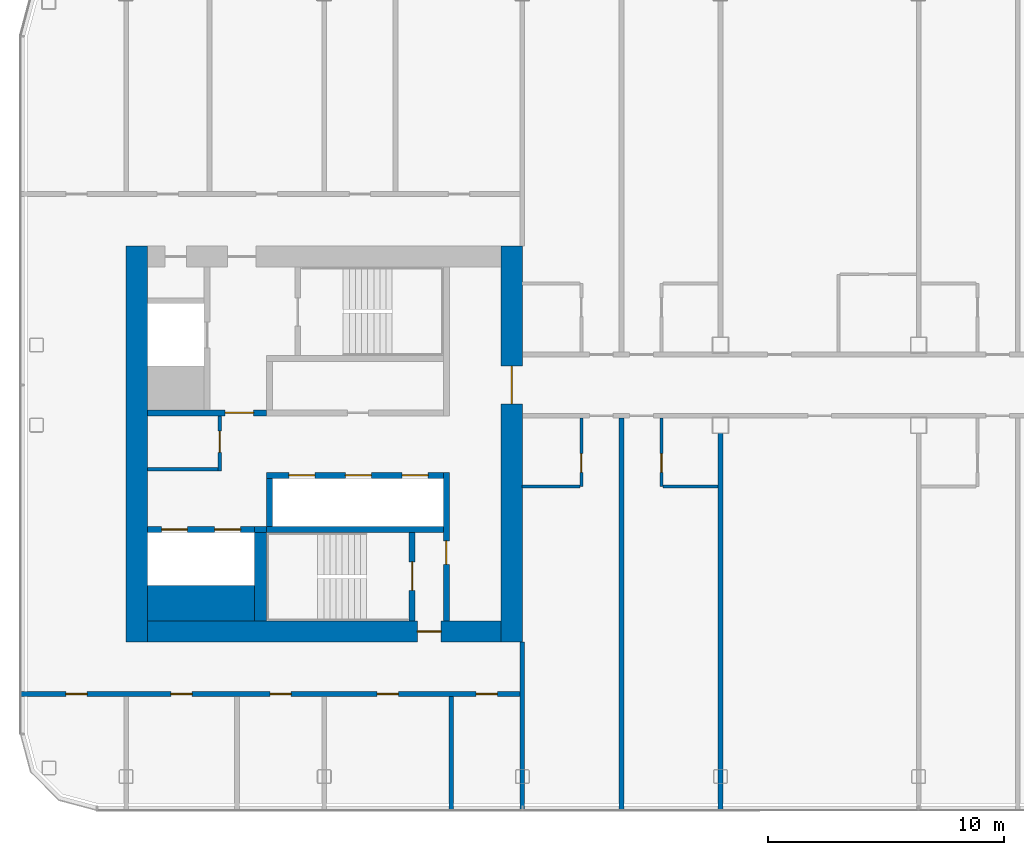
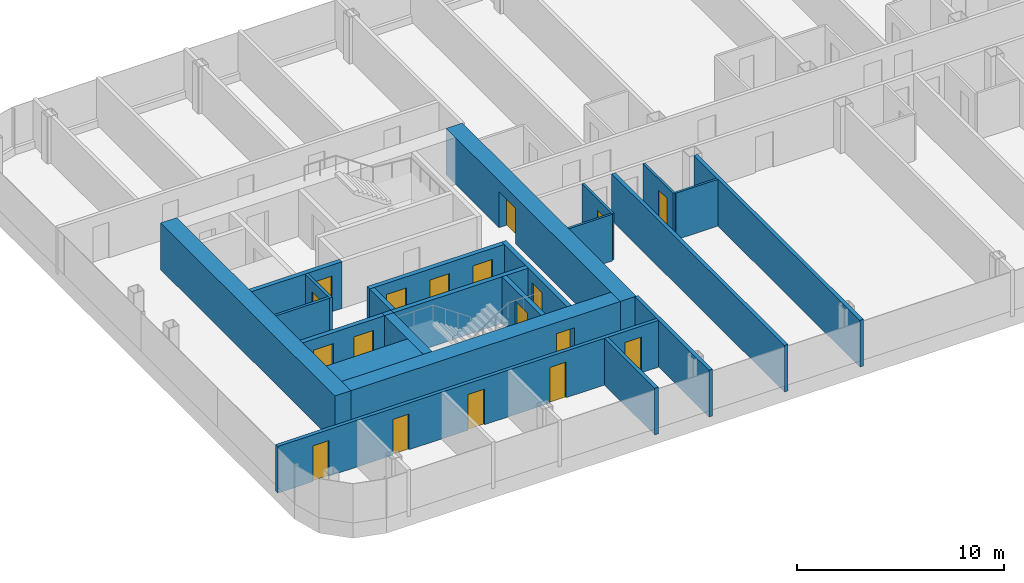
# One storey, part 13 of 26: 24 walls, 18 doors, 18 openings.
"""IFC4 building model written with IfcOpenShell, lengths in metres."""

from ifc_helpers import new_model, si_unit, direction, frame, frame_2d, origin, place, context, subcontext, project, spatial, rectangle, extrude, material, layer, layer_set, type_object, element, fill, save


model = new_model("IFC4")

# Units and contexts
model_context = context("Model", 3, precision=1e-05, world=origin(), true_north=direction((0.0, 1.0)))
body_context = subcontext(model_context, "Body", "Model", "MODEL_VIEW")
ifc_project = project(units=[si_unit("LENGTHUNIT", "METRE"), si_unit("AREAUNIT", "SQUARE_METRE"), si_unit("VOLUMEUNIT", "CUBIC_METRE"), si_unit("PLANEANGLEUNIT", "RADIAN"), si_unit("MASSUNIT", "GRAM", prefix="KILO")], contexts=[model_context])

# Site, building, storey
site_placement = place(None, origin())
site = spatial("IfcSite", under=ifc_project, at=site_placement, CompositionType="ELEMENT")
building_placement = place(site_placement, origin())
building = spatial("IfcBuilding", under=site, at=building_placement, Name="Hakoniwa Tower and Hamabe Station Hall", CompositionType="ELEMENT")
storey_placement = place(building_placement, frame((0.0, 0.0, 196.199951171875)))
storey = spatial("IfcBuildingStorey", under=building, at=storey_placement, Name="L55", CompositionType="ELEMENT", Elevation=196.199951171875)

# Walls
ifc_material_1 = material(Name="Gypsum board partition", Category="gypsum")
ifc_layer_1 = layer(ifc_material_1, 0.125)
ifc_layer_set_1 = layer_set([ifc_layer_1], Name="Bathroom Partition 125")
wall_type_1 = type_object("IfcWallType", Name="Bathroom Partition 125", PredefinedType="PARTITIONING", material=ifc_layer_set_1)
wall_1_placement = place(storey_placement, frame((-16.81005859375, -1.800048828125, 0.0), z_axis=(0.0, 0.0, 1.0), x_axis=(1.0, 0.0, 0.0)))
element("IfcWall", 1, at=wall_1_placement, inside=storey, type_object=wall_type_1, Name="GW-L55-004", PredefinedType="PARTITIONING", context=body_context, shape_type="SweptSolid", body=[
    extrude(rectangle(XDim=2.447509765625, YDim=0.125, at=frame_2d((1.2236328125, 0.0))), origin(), (0.0, 0.0, 1.0), 2.75),
])
wall_2_placement = place(storey_placement, frame((-10.83740234375, -1.800048828125, 0.0), z_axis=(0.0, 0.0, 1.0), x_axis=(1.0, 0.0, 0.0)))
element("IfcWall", 2, at=wall_2_placement, inside=storey, type_object=wall_type_1, Name="GW-L55-005", PredefinedType="PARTITIONING", context=body_context, shape_type="SweptSolid", body=[
    extrude(rectangle(XDim=2.33740234375, YDim=0.125, at=frame_2d((1.168701171875, 0.0))), origin(), (0.0, 0.0, 1.0), 2.75),
])

# Wall, opening, door
wall_3_placement = place(storey_placement, frame((-14.300048828125, -1.800048828125, 0.0), z_axis=(0.0, 0.0, 1.0), x_axis=(0.0, 1.0, 0.0)))
wall_3 = element("IfcWall", 3, at=wall_3_placement, inside=storey, type_object=wall_type_1, Name="GW-L55-029", PredefinedType="PARTITIONING", context=body_context, shape_type="SweptSolid", body=[
    extrude(rectangle(XDim=2.900146484375, YDim=0.125, at=frame_2d((1.4501953125, 0.0))), origin(), (0.0, 0.0, 1.0), 2.75),
])
opening_1_placement = place(wall_3_placement, frame((0.60009765625, 0.0, 0.0)))
opening_1 = element("IfcOpeningElement", 4, at=opening_1_placement, cuts=wall_3, Name="Opening GD-G4D0-32", PredefinedType="OPENING", context=body_context, shape_type="SweptSolid", body=[
    extrude(rectangle(XDim=0.800048828125, YDim=2.10009765625, at=frame_2d((0.39990234375, 1.050048828125))), frame((0.0, 0.072509765625, 0.0), z_axis=(0.0, -1.0, 0.0), x_axis=(1.0, 0.0, 0.0)), (0.0, 0.0, 1.0), 0.14501953125),
])
ifc_material_2 = material(Name="Timber door leaf", Category="wood")
door_type_1 = type_object("IfcDoorType", Name="Bathroom Door 800", OperationType="SINGLE_SWING_LEFT", PredefinedType="DOOR", material=ifc_material_2)
door_1_placement = place(opening_1_placement, origin())
door_1 = element("IfcDoor", 5, at=door_1_placement, inside=storey, type_object=door_type_1, Name="Door GD-G4D0-32", OperationType="SINGLE_SWING_RIGHT", OverallHeight=2.10009765625, OverallWidth=0.800048828125, PredefinedType="DOOR", context=body_context, shape_type="SweptSolid", body=[
    extrude(rectangle(XDim=0.800048828125, YDim=2.10009765625, at=frame_2d((0.39990234375, 1.050048828125))), frame((0.0, 0.02490234375, 0.0), z_axis=(0.0, -1.0, 0.0), x_axis=(1.0, 0.0, 0.0)), (0.0, 0.0, 1.0), 0.050048828125),
])
fill(opening_1, door_1)

wall_4_placement = place(storey_placement, frame((-10.89990234375, -1.800048828125, 0.0), z_axis=(0.0, 0.0, 1.0), x_axis=(0.0, 1.0, 0.0)))
wall_4 = element("IfcWall", 6, at=wall_4_placement, inside=storey, type_object=wall_type_1, Name="GW-L55-033", PredefinedType="PARTITIONING", context=body_context, shape_type="SweptSolid", body=[
    extrude(rectangle(XDim=2.900146484375, YDim=0.125, at=frame_2d((1.4501953125, 0.0))), origin(), (0.0, 0.0, 1.0), 2.75),
])
opening_2_placement = place(wall_4_placement, frame((0.60009765625, 0.0, 0.0)))
opening_2 = element("IfcOpeningElement", 7, at=opening_2_placement, cuts=wall_4, Name="Opening GD-G4D0-34", PredefinedType="OPENING", context=body_context, shape_type="SweptSolid", body=[
    extrude(rectangle(XDim=0.800048828125, YDim=2.10009765625, at=frame_2d((0.39990234375, 1.050048828125))), frame((0.0, 0.072509765625, 0.0), z_axis=(0.0, -1.0, 0.0), x_axis=(1.0, 0.0, 0.0)), (0.0, 0.0, 1.0), 0.14501953125),
])
door_2_placement = place(opening_2_placement, origin())
door_2 = element("IfcDoor", 8, at=door_2_placement, inside=storey, type_object=door_type_1, Name="Door GD-G4D0-34", OperationType="SINGLE_SWING_LEFT", OverallHeight=2.10009765625, OverallWidth=0.800048828125, PredefinedType="DOOR", context=body_context, shape_type="SweptSolid", body=[
    extrude(rectangle(XDim=0.800048828125, YDim=2.10009765625, at=frame_2d((0.39990234375, 1.050048828125))), frame((0.0, 0.02490234375, 0.0), z_axis=(0.0, -1.0, 0.0), x_axis=(1.0, 0.0, 0.0)), (0.0, 0.0, 1.0), 0.050048828125),
])
fill(opening_2, door_2)

ifc_material_3 = material(Name="Gypsum board partition")
ifc_layer_2 = layer(ifc_material_3, 0.14990234375)
ifc_layer_set_2 = layer_set([ifc_layer_2], Name="CORE PARTITION 150 EI 60")
wall_type_2 = type_object("IfcWallType", Name="CORE PARTITION 150 EI 60", PredefinedType="PARTITIONING", material=ifc_layer_set_2)
wall_5_placement = place(storey_placement, frame((-29.625, -1.14990234375, 0.0), z_axis=(0.0, 0.0, 1.0), x_axis=(0.0, 1.0, 0.0)))
wall_5 = element("IfcWall", 9, at=wall_5_placement, inside=storey, type_object=wall_type_2, Name="Core partition PW0 west", PredefinedType="PARTITIONING", context=body_context, shape_type="SweptSolid", body=[
    extrude(rectangle(XDim=2.349853515625, YDim=0.14990234375, at=frame_2d((1.1748046875, 0.0))), origin(), (0.0, 0.0, 1.0), 2.75),
])
opening_3_placement = place(wall_5_placement, frame((0.800048828125, 0.0, 0.0)))
opening_3 = element("IfcOpeningElement", 10, at=opening_3_placement, cuts=wall_5, Name="Opening CD-W-RM1-9", PredefinedType="OPENING", context=body_context, shape_type="SweptSolid", body=[
    extrude(rectangle(XDim=0.89990234375, YDim=2.10009765625, at=frame_2d((0.449951171875, 1.050048828125))), frame((0.0, 0.0849609375, 0.0), z_axis=(0.0, -1.0, 0.0), x_axis=(1.0, 0.0, 0.0)), (0.0, 0.0, 1.0), 0.169921875),
])
ifc_material_4 = material(Name="Steel fire door", Category="steel")
door_type_2 = type_object("IfcDoorType", Name="CORE DOOR 900 FD30", OperationType="NOTDEFINED", PredefinedType="DOOR", material=ifc_material_4)
door_3_placement = place(opening_3_placement, origin())
door_3 = element("IfcDoor", 11, at=door_3_placement, inside=storey, type_object=door_type_2, Name="Store room door", OperationType="SINGLE_SWING_RIGHT", OverallHeight=2.10009765625, OverallWidth=0.89990234375, PredefinedType="DOOR", context=body_context, shape_type="SweptSolid", body=[
    extrude(rectangle(XDim=0.89990234375, YDim=2.10009765625, at=frame_2d((0.449951171875, 1.050048828125))), frame((0.0, 0.02490234375, 0.0), z_axis=(0.0, -1.0, 0.0), x_axis=(1.0, 0.0, 0.0)), (0.0, 0.0, 1.0), 0.050048828125),
])
fill(opening_3, door_3)

# Wall
wall_6_placement = place(storey_placement, frame((-32.699951171875, -1.074951171875, 0.0), z_axis=(0.0, 0.0, 1.0), x_axis=(1.0, 0.0, 0.0)))
element("IfcWall", 12, at=wall_6_placement, inside=storey, type_object=wall_type_2, Name="Core partition PS west", PredefinedType="PARTITIONING", context=body_context, shape_type="SweptSolid", body=[
    extrude(rectangle(XDim=3.0, YDim=0.14990234375, at=frame_2d((1.5, 0.0))), origin(), (0.0, 0.0, 1.0), 2.75),
])

# Wall, opening, door
ifc_material_5 = material(Name="Concrete C60", Category="concrete")
ifc_layer_3 = layer(ifc_material_5, 0.89990234375)
ifc_layer_set_3 = layer_set([ifc_layer_3], Name="CORE WALL 900 C60")
wall_type_3 = type_object("IfcWallType", Name="CORE WALL 900 C60", PredefinedType="SHEAR", material=ifc_layer_set_3)
wall_7_placement = place(storey_placement, frame((-17.25, -8.39990234375, 0.0), z_axis=(0.0, 0.0, 1.0), x_axis=(0.0, 1.0, 0.0)))
wall_7 = element("IfcWall", 13, at=wall_7_placement, inside=storey, type_object=wall_type_3, Name="Core wall INNER west", PredefinedType="SHEAR", context=body_context, shape_type="SweptSolid", body=[
    extrude(rectangle(XDim=16.7998046875, YDim=0.89990234375, at=frame_2d((8.39990234375, 0.0))), origin(), (0.0, 0.0, 1.0), 2.75),
])
opening_4_placement = place(wall_7_placement, frame((10.10009765625, 0.0, 0.0)))
opening_4 = element("IfcOpeningElement", 14, at=opening_4_placement, cuts=wall_7, Name="Opening CD-W-IN1-16", PredefinedType="OPENING", context=body_context, shape_type="SweptSolid", body=[
    extrude(rectangle(XDim=1.60009765625, YDim=2.10009765625, at=frame_2d((0.800048828125, 1.050048828125))), frame((0.0, 0.4599609375, 0.0), z_axis=(0.0, -1.0, 0.0), x_axis=(1.0, 0.0, 0.0)), (0.0, 0.0, 1.0), 0.919921875),
])
ifc_material_6 = material(Name="Steel fire door", Category="steel")
door_type_3 = type_object("IfcDoorType", Name="CORE DOOR 1600 FD60", OperationType="DOUBLE_DOOR_SINGLE_SWING", PredefinedType="DOOR", material=ifc_material_6)
door_4_placement = place(opening_4_placement, origin())
door_4 = element("IfcDoor", 15, at=door_4_placement, inside=storey, type_object=door_type_3, Name="Lift lobby door", OperationType="DOUBLE_DOOR_SINGLE_SWING", OverallHeight=2.10009765625, OverallWidth=1.60009765625, PredefinedType="DOOR", context=body_context, shape_type="SweptSolid", body=[
    extrude(rectangle(XDim=1.60009765625, YDim=2.10009765625, at=frame_2d((0.800048828125, 1.050048828125))), frame((0.0, 0.02490234375, 0.0), z_axis=(0.0, -1.0, 0.0), x_axis=(1.0, 0.0, 0.0)), (0.0, 0.0, 1.0), 0.050048828125),
])
fill(opening_4, door_4)

# Wall
wall_8_placement = place(storey_placement, frame((-33.14990234375, -8.39990234375, 0.0), z_axis=(0.0, 0.0, 1.0), x_axis=(0.0, 1.0, 0.0)))
element("IfcWall", 16, at=wall_8_placement, inside=storey, type_object=wall_type_3, Name="Core wall OUTER west", PredefinedType="SHEAR", context=body_context, shape_type="SweptSolid", body=[
    extrude(rectangle(XDim=16.7998046875, YDim=0.89990234375, at=frame_2d((8.39990234375, 0.0))), origin(), (0.0, 0.0, 1.0), 2.75),
])

# Wall, opening, door
wall_9_placement = place(storey_placement, frame((-32.699951171875, -7.949951171875, 0.0), z_axis=(0.0, 0.0, 1.0), x_axis=(1.0, 0.0, 0.0)))
wall_9 = element("IfcWall", 17, at=wall_9_placement, inside=storey, type_object=wall_type_3, Name="Core wall SOUTH west", PredefinedType="SHEAR", context=body_context, shape_type="SweptSolid", body=[
    extrude(rectangle(XDim=15.0, YDim=0.89990234375, at=frame_2d((7.5, 0.0))), origin(), (0.0, 0.0, 1.0), 2.75),
])
opening_5_placement = place(wall_9_placement, frame((11.449951171875, 0.0, 0.0)))
opening_5 = element("IfcOpeningElement", 18, at=opening_5_placement, cuts=wall_9, Name="Opening CD-W-FS3-10", PredefinedType="OPENING", context=body_context, shape_type="SweptSolid", body=[
    extrude(rectangle(XDim=1.0, YDim=2.10009765625, at=frame_2d((0.5, 1.050048828125))), frame((0.0, 0.4599609375, 0.0), z_axis=(0.0, -1.0, 0.0), x_axis=(1.0, 0.0, 0.0)), (0.0, 0.0, 1.0), 0.919921875),
])
ifc_material_7 = material(Name="Steel fire door", Category="steel")
door_type_4 = type_object("IfcDoorType", Name="CORE DOOR 1000 FD60", OperationType="NOTDEFINED", PredefinedType="DOOR", material=ifc_material_7)
door_5_placement = place(opening_5_placement, origin())
door_5 = element("IfcDoor", 19, at=door_5_placement, inside=storey, type_object=door_type_4, Name="Stair vestibule door", OperationType="SINGLE_SWING_LEFT", OverallHeight=2.10009765625, OverallWidth=1.0, PredefinedType="DOOR", context=body_context, shape_type="SweptSolid", body=[
    extrude(rectangle(XDim=1.0, YDim=2.10009765625, at=frame_2d((0.5, 1.050048828125))), frame((0.0, 0.02490234375, 0.0), z_axis=(0.0, -1.0, 0.0), x_axis=(1.0, 0.0, 0.0)), (0.0, 0.0, 1.0), 0.050048828125),
])
fill(opening_5, door_5)

# Wall
ifc_material_8 = material(Name="Concrete C60", Category="concrete")
ifc_layer_4 = layer(ifc_material_8, 1.5)
ifc_layer_set_4 = layer_set([ifc_layer_4], Name="CORE WEB WALL 1500 C60")
wall_type_4 = type_object("IfcWallType", Name="CORE WEB WALL 1500 C60", PredefinedType="SHEAR", material=ifc_layer_set_4)
wall_10_placement = place(storey_placement, frame((-32.699951171875, -6.75, 0.0), z_axis=(0.0, 0.0, 1.0), x_axis=(1.0, 0.0, 0.0)))
element("IfcWall", 20, at=wall_10_placement, inside=storey, type_object=wall_type_4, Name="Core wall SER west", PredefinedType="SHEAR", context=body_context, shape_type="SweptSolid", body=[
    extrude(rectangle(XDim=4.550048828125, YDim=1.5, at=frame_2d((2.27490234375, 0.0))), origin(), (0.0, 0.0, 1.0), 2.75),
])

# Wall, opening, door
ifc_material_9 = material(Name="Concrete C60", Category="concrete")
ifc_layer_5 = layer(ifc_material_9, 0.25)
ifc_layer_set_5 = layer_set([ifc_layer_5], Name="CORE WEB WALL 250 C60")
wall_type_5 = type_object("IfcWallType", Name="CORE WEB WALL 250 C60", PredefinedType="SHEAR", material=ifc_layer_set_5)
wall_11_placement = place(storey_placement, frame((-20.02490234375, -7.5, 0.0), z_axis=(0.0, 0.0, 1.0), x_axis=(0.0, 1.0, 0.0)))
wall_11 = element("IfcWall", 21, at=wall_11_placement, inside=storey, type_object=wall_type_5, Name="Core wall W1S west", PredefinedType="SHEAR", context=body_context, shape_type="SweptSolid", body=[
    extrude(rectangle(XDim=6.300048828125, YDim=0.25, at=frame_2d((3.14990234375, 0.0))), origin(), (0.0, 0.0, 1.0), 2.75),
])
opening_6_placement = place(wall_11_placement, frame((2.39990234375, 0.0, 0.0)))
opening_6 = element("IfcOpeningElement", 22, at=opening_6_placement, cuts=wall_11, Name="Opening CD-W-VS-10", PredefinedType="OPENING", context=body_context, shape_type="SweptSolid", body=[
    extrude(rectangle(XDim=1.0, YDim=2.10009765625, at=frame_2d((0.5, 1.050048828125))), frame((0.0, 0.135009765625, 0.0), z_axis=(0.0, -1.0, 0.0), x_axis=(1.0, 0.0, 0.0)), (0.0, 0.0, 1.0), 0.27001953125),
])
door_6_placement = place(opening_6_placement, origin())
door_6 = element("IfcDoor", 23, at=door_6_placement, inside=storey, type_object=door_type_4, Name="Stair vestibule door", OperationType="SINGLE_SWING_LEFT", OverallHeight=2.10009765625, OverallWidth=1.0, PredefinedType="DOOR", context=body_context, shape_type="SweptSolid", body=[
    extrude(rectangle(XDim=1.0, YDim=2.10009765625, at=frame_2d((0.5, 1.050048828125))), frame((0.0, 0.02490234375, 0.0), z_axis=(0.0, -1.0, 0.0), x_axis=(1.0, 0.0, 0.0)), (0.0, 0.0, 1.0), 0.050048828125),
])
fill(opening_6, door_6)

wall_12_placement = place(storey_placement, frame((-32.699951171875, 1.324951171875, 0.0), z_axis=(0.0, 0.0, 1.0), x_axis=(1.0, 0.0, 0.0)))
wall_12 = element("IfcWall", 24, at=wall_12_placement, inside=storey, type_object=wall_type_5, Name="Core wall ELN west", PredefinedType="SHEAR", context=body_context, shape_type="SweptSolid", body=[
    extrude(rectangle(XDim=5.050048828125, YDim=0.25, at=frame_2d((2.52490234375, 0.0))), origin(), (0.0, 0.0, 1.0), 2.75),
])
opening_7_placement = place(wall_12_placement, frame((3.300048828125, 0.0, 0.0)))
opening_7 = element("IfcOpeningElement", 25, at=opening_7_placement, cuts=wall_12, Name="Opening CD-W-FL-12", PredefinedType="OPENING", context=body_context, shape_type="SweptSolid", body=[
    extrude(rectangle(XDim=1.199951171875, YDim=2.10009765625, at=frame_2d((0.60009765625, 1.050048828125))), frame((0.0, 0.135009765625, 0.0), z_axis=(0.0, -1.0, 0.0), x_axis=(1.0, 0.0, 0.0)), (0.0, 0.0, 1.0), 0.27001953125),
])
ifc_material_10 = material(Name="Steel fire door", Category="steel")
door_type_5 = type_object("IfcDoorType", Name="CORE DOOR 1200 FD60", OperationType="DOUBLE_DOOR_SINGLE_SWING", PredefinedType="DOOR", material=ifc_material_10)
door_7_placement = place(opening_7_placement, origin())
door_7 = element("IfcDoor", 26, at=door_7_placement, inside=storey, type_object=door_type_5, Name="Stair vestibule door to the fire-fighting lobby", OperationType="DOUBLE_DOOR_SINGLE_SWING", OverallHeight=2.10009765625, OverallWidth=1.199951171875, PredefinedType="DOOR", context=body_context, shape_type="SweptSolid", body=[
    extrude(rectangle(XDim=1.199951171875, YDim=2.10009765625, at=frame_2d((0.60009765625, 1.050048828125))), frame((0.0, 0.02490234375, 0.0), z_axis=(0.0, -1.0, 0.0), x_axis=(1.0, 0.0, 0.0)), (0.0, 0.0, 1.0), 0.050048828125),
])
fill(opening_7, door_7)

# Wall, openings, doors
wall_13_placement = place(storey_placement, frame((-27.64990234375, -1.324951171875, 0.0), z_axis=(0.0, 0.0, 1.0), x_axis=(1.0, 0.0, 0.0)))
wall_13 = element("IfcWall", 27, at=wall_13_placement, inside=storey, type_object=wall_type_5, Name="Core wall SF west", PredefinedType="SHEAR", context=body_context, shape_type="SweptSolid", body=[
    extrude(rectangle(XDim=7.5, YDim=0.25, at=frame_2d((3.75, 0.0))), origin(), (0.0, 0.0, 1.0), 2.75),
])
opening_8_placement = place(wall_13_placement, frame((5.75, 0.0, 0.0)))
opening_8 = element("IfcOpeningElement", 28, at=opening_8_placement, cuts=wall_13, Name="Opening LD-HR1", PredefinedType="OPENING", context=body_context, shape_type="SweptSolid", body=[
    extrude(rectangle(XDim=1.10009765625, YDim=2.10009765625, at=frame_2d((0.550048828125, 1.050048828125))), frame((0.0, 0.135009765625, 0.0), z_axis=(0.0, -1.0, 0.0), x_axis=(1.0, 0.0, 0.0)), (0.0, 0.0, 1.0), 0.27001953125),
])
opening_9_placement = place(wall_13_placement, frame((3.35009765625, 0.0, 0.0)))
opening_9 = element("IfcOpeningElement", 29, at=opening_9_placement, cuts=wall_13, Name="Opening LD-HR2", PredefinedType="OPENING", context=body_context, shape_type="SweptSolid", body=[
    extrude(rectangle(XDim=1.10009765625, YDim=2.10009765625, at=frame_2d((0.550048828125, 1.050048828125))), frame((0.0, 0.135009765625, 0.0), z_axis=(0.0, -1.0, 0.0), x_axis=(1.0, 0.0, 0.0)), (0.0, 0.0, 1.0), 0.27001953125),
])
opening_10_placement = place(wall_13_placement, frame((0.949951171875, 0.0, 0.0)))
opening_10 = element("IfcOpeningElement", 30, at=opening_10_placement, cuts=wall_13, Name="Opening LD-HR3", PredefinedType="OPENING", context=body_context, shape_type="SweptSolid", body=[
    extrude(rectangle(XDim=1.10009765625, YDim=2.10009765625, at=frame_2d((0.550048828125, 1.050048828125))), frame((0.0, 0.135009765625, 0.0), z_axis=(0.0, -1.0, 0.0), x_axis=(1.0, 0.0, 0.0)), (0.0, 0.0, 1.0), 0.27001953125),
])
ifc_material_11 = material(Name="Stainless steel SUS304", Category="steel")
door_type_6 = type_object("IfcDoorType", Name="LIFT LANDING DOOR 1100 FD60", OperationType="DOUBLE_DOOR_SLIDING", PredefinedType="DOOR", material=ifc_material_11)
door_8_placement = place(opening_8_placement, origin())
door_8 = element("IfcDoor", 31, at=door_8_placement, inside=storey, type_object=door_type_6, Name="Lift landing door HR1 L55", OperationType="DOUBLE_DOOR_SLIDING", OverallHeight=2.10009765625, OverallWidth=1.10009765625, PredefinedType="DOOR", context=body_context, shape_type="SweptSolid", body=[
    extrude(rectangle(XDim=1.10009765625, YDim=2.10009765625, at=frame_2d((0.550048828125, 1.050048828125))), frame((0.0, 0.02490234375, 0.0), z_axis=(0.0, -1.0, 0.0), x_axis=(1.0, 0.0, 0.0)), (0.0, 0.0, 1.0), 0.050048828125),
])
fill(opening_8, door_8)
door_9_placement = place(opening_9_placement, origin())
door_9 = element("IfcDoor", 32, at=door_9_placement, inside=storey, type_object=door_type_6, Name="Lift landing door HR2 L55", OperationType="DOUBLE_DOOR_SLIDING", OverallHeight=2.10009765625, OverallWidth=1.10009765625, PredefinedType="DOOR", context=body_context, shape_type="SweptSolid", body=[
    extrude(rectangle(XDim=1.10009765625, YDim=2.10009765625, at=frame_2d((0.550048828125, 1.050048828125))), frame((0.0, 0.02490234375, 0.0), z_axis=(0.0, -1.0, 0.0), x_axis=(1.0, 0.0, 0.0)), (0.0, 0.0, 1.0), 0.050048828125),
])
fill(opening_9, door_9)
door_10_placement = place(opening_10_placement, origin())
door_10 = element("IfcDoor", 33, at=door_10_placement, inside=storey, type_object=door_type_6, Name="Lift landing door HR3 L55", OperationType="DOUBLE_DOOR_SLIDING", OverallHeight=2.10009765625, OverallWidth=1.10009765625, PredefinedType="DOOR", context=body_context, shape_type="SweptSolid", body=[
    extrude(rectangle(XDim=1.10009765625, YDim=2.10009765625, at=frame_2d((0.550048828125, 1.050048828125))), frame((0.0, 0.02490234375, 0.0), z_axis=(0.0, -1.0, 0.0), x_axis=(1.0, 0.0, 0.0)), (0.0, 0.0, 1.0), 0.050048828125),
])
fill(opening_10, door_10)

# Walls
wall_14_placement = place(storey_placement, frame((-27.52490234375, -3.5, 0.0), z_axis=(0.0, 0.0, 1.0), x_axis=(0.0, 1.0, 0.0)))
element("IfcWall", 34, at=wall_14_placement, inside=storey, type_object=wall_type_5, Name="Core wall SE west", PredefinedType="SHEAR", context=body_context, shape_type="SweptSolid", body=[
    extrude(rectangle(XDim=2.050048828125, YDim=0.25, at=frame_2d((1.02490234375, 0.0))), origin(), (0.0, 0.0, 1.0), 2.75),
])
wall_15_placement = place(storey_placement, frame((-27.64990234375, -3.625, 0.0), z_axis=(0.0, 0.0, 1.0), x_axis=(1.0, 0.0, 0.0)))
element("IfcWall", 35, at=wall_15_placement, inside=storey, type_object=wall_type_5, Name="Core wall SR west", PredefinedType="SHEAR", context=body_context, shape_type="SweptSolid", body=[
    extrude(rectangle(XDim=7.5, YDim=0.25, at=frame_2d((3.75, 0.0))), origin(), (0.0, 0.0, 1.0), 2.75),
])

# Wall, opening, door
wall_16_placement = place(storey_placement, frame((-21.47509765625, -7.5, 0.0), z_axis=(0.0, 0.0, 1.0), x_axis=(0.0, 1.0, 0.0)))
wall_16 = element("IfcWall", 36, at=wall_16_placement, inside=storey, type_object=wall_type_5, Name="Core wall VE west", PredefinedType="SHEAR", context=body_context, shape_type="SweptSolid", body=[
    extrude(rectangle(XDim=3.75, YDim=0.25, at=frame_2d((1.875, 0.0))), origin(), (0.0, 0.0, 1.0), 2.75),
])
opening_11_placement = place(wall_16_placement, frame((1.300048828125, 0.0, 0.0)))
opening_11 = element("IfcOpeningElement", 37, at=opening_11_placement, cuts=wall_16, Name="Opening CD-W-SS-12", PredefinedType="OPENING", context=body_context, shape_type="SweptSolid", body=[
    extrude(rectangle(XDim=1.199951171875, YDim=2.10009765625, at=frame_2d((0.60009765625, 1.050048828125))), frame((0.0, 0.135009765625, 0.0), z_axis=(0.0, -1.0, 0.0), x_axis=(1.0, 0.0, 0.0)), (0.0, 0.0, 1.0), 0.27001953125),
])
door_11_placement = place(opening_11_placement, origin())
door_11 = element("IfcDoor", 38, at=door_11_placement, inside=storey, type_object=door_type_5, Name="Escape stair door", OperationType="DOUBLE_DOOR_SINGLE_SWING", OverallHeight=2.10009765625, OverallWidth=1.199951171875, PredefinedType="DOOR", context=body_context, shape_type="SweptSolid", body=[
    extrude(rectangle(XDim=1.199951171875, YDim=2.10009765625, at=frame_2d((0.60009765625, 1.050048828125))), frame((0.0, 0.02490234375, 0.0), z_axis=(0.0, -1.0, 0.0), x_axis=(1.0, 0.0, 0.0)), (0.0, 0.0, 1.0), 0.050048828125),
])
fill(opening_11, door_11)

# Wall, openings, doors
wall_17_placement = place(storey_placement, frame((-32.699951171875, -3.625, 0.0), z_axis=(0.0, 0.0, 1.0), x_axis=(1.0, 0.0, 0.0)))
wall_17 = element("IfcWall", 39, at=wall_17_placement, inside=storey, type_object=wall_type_5, Name="Core wall SEF west", PredefinedType="SHEAR", context=body_context, shape_type="SweptSolid", body=[
    extrude(rectangle(XDim=4.550048828125, YDim=0.25, at=frame_2d((2.27490234375, 0.0))), origin(), (0.0, 0.0, 1.0), 2.75),
])
opening_12_placement = place(wall_17_placement, frame((2.85009765625, 0.0, 0.0)))
opening_12 = element("IfcOpeningElement", 40, at=opening_12_placement, cuts=wall_17, Name="Opening LD-SV1", PredefinedType="OPENING", context=body_context, shape_type="SweptSolid", body=[
    extrude(rectangle(XDim=1.10009765625, YDim=2.10009765625, at=frame_2d((0.550048828125, 1.050048828125))), frame((0.0, 0.135009765625, 0.0), z_axis=(0.0, -1.0, 0.0), x_axis=(1.0, 0.0, 0.0)), (0.0, 0.0, 1.0), 0.27001953125),
])
opening_13_placement = place(wall_17_placement, frame((0.60009765625, 0.0, 0.0)))
opening_13 = element("IfcOpeningElement", 41, at=opening_13_placement, cuts=wall_17, Name="Opening LD-SV2", PredefinedType="OPENING", context=body_context, shape_type="SweptSolid", body=[
    extrude(rectangle(XDim=1.10009765625, YDim=2.10009765625, at=frame_2d((0.550048828125, 1.050048828125))), frame((0.0, 0.135009765625, 0.0), z_axis=(0.0, -1.0, 0.0), x_axis=(1.0, 0.0, 0.0)), (0.0, 0.0, 1.0), 0.27001953125),
])
door_12_placement = place(opening_12_placement, origin())
door_12 = element("IfcDoor", 42, at=door_12_placement, inside=storey, type_object=door_type_6, Name="Lift landing door SV1 L55", OperationType="DOUBLE_DOOR_SLIDING", OverallHeight=2.10009765625, OverallWidth=1.10009765625, PredefinedType="DOOR", context=body_context, shape_type="SweptSolid", body=[
    extrude(rectangle(XDim=1.10009765625, YDim=2.10009765625, at=frame_2d((0.550048828125, 1.050048828125))), frame((0.0, 0.02490234375, 0.0), z_axis=(0.0, -1.0, 0.0), x_axis=(1.0, 0.0, 0.0)), (0.0, 0.0, 1.0), 0.050048828125),
])
fill(opening_12, door_12)
door_13_placement = place(opening_13_placement, origin())
door_13 = element("IfcDoor", 43, at=door_13_placement, inside=storey, type_object=door_type_6, Name="Lift landing door SV2 L55", OperationType="DOUBLE_DOOR_SLIDING", OverallHeight=2.10009765625, OverallWidth=1.10009765625, PredefinedType="DOOR", context=body_context, shape_type="SweptSolid", body=[
    extrude(rectangle(XDim=1.10009765625, YDim=2.10009765625, at=frame_2d((0.550048828125, 1.050048828125))), frame((0.0, 0.02490234375, 0.0), z_axis=(0.0, -1.0, 0.0), x_axis=(1.0, 0.0, 0.0)), (0.0, 0.0, 1.0), 0.050048828125),
])
fill(opening_13, door_13)

# Walls
wall_18_placement = place(storey_placement, frame((-28.14990234375, -3.625, 0.0), z_axis=(0.0, 0.0, 1.0), x_axis=(1.0, 0.0, 0.0)))
element("IfcWall", 44, at=wall_18_placement, inside=storey, type_object=wall_type_5, Name="Core wall SRK west", PredefinedType="SHEAR", context=body_context, shape_type="SweptSolid", body=[
    extrude(rectangle(XDim=0.5, YDim=0.25, at=frame_2d((0.25, 0.0))), origin(), (0.0, 0.0, 1.0), 2.75),
])
ifc_material_12 = material(Name="Concrete C60", Category="concrete")
ifc_layer_6 = layer(ifc_material_12, 0.5)
ifc_layer_set_6 = layer_set([ifc_layer_6], Name="CORE WEB WALL 500 C60")
wall_type_6 = type_object("IfcWallType", Name="CORE WEB WALL 500 C60", PredefinedType="SHEAR", material=ifc_layer_set_6)
wall_19_placement = place(storey_placement, frame((-27.89990234375, -7.5, 0.0), z_axis=(0.0, 0.0, 1.0), x_axis=(0.0, 1.0, 0.0)))
element("IfcWall", 45, at=wall_19_placement, inside=storey, type_object=wall_type_6, Name="Core wall SSE west", PredefinedType="SHEAR", context=body_context, shape_type="SweptSolid", body=[
    extrude(rectangle(XDim=3.75, YDim=0.5, at=frame_2d((1.875, 0.0))), origin(), (0.0, 0.0, 1.0), 2.75),
])

# Wall, openings, doors
ifc_material_13 = material(Name="Fire-rated gypsum board partition", Category="gypsum")
ifc_layer_7 = layer(ifc_material_13, 0.199951171875)
ifc_layer_set_7 = layer_set([ifc_layer_7], Name="Corridor Wall 200")
wall_type_7 = type_object("IfcWallType", Name="Corridor Wall 200", PredefinedType="PARTITIONING", material=ifc_layer_set_7)
wall_20_placement = place(storey_placement, frame((-38.10009765625, -10.60009765625, 0.0), z_axis=(0.0, 0.0, 1.0), x_axis=(1.0, 0.0, 0.0)))
wall_20 = element("IfcWall", 46, at=wall_20_placement, inside=storey, type_object=wall_type_7, Name="GW-L55-001", PredefinedType="PARTITIONING", context=body_context, shape_type="SweptSolid", body=[
    extrude(rectangle(XDim=21.300048828125, YDim=0.199951171875, at=frame_2d((10.64990234375, 0.0))), origin(), (0.0, 0.0, 1.0), 2.75),
])
opening_14_placement = place(wall_20_placement, frame((1.949951171875, 0.0, 0.0)))
opening_14 = element("IfcOpeningElement", 47, at=opening_14_placement, cuts=wall_20, Name="Opening GD-G4D0-01", PredefinedType="OPENING", context=body_context, shape_type="SweptSolid", body=[
    extrude(rectangle(XDim=0.89990234375, YDim=2.10009765625, at=frame_2d((0.449951171875, 1.050048828125))), frame((0.0, 0.10986328125, 0.0), z_axis=(0.0, -1.0, 0.0), x_axis=(1.0, 0.0, 0.0)), (0.0, 0.0, 1.0), 0.219970703125),
])
opening_15_placement = place(wall_20_placement, frame((6.39990234375, 0.0, 0.0)))
opening_15 = element("IfcOpeningElement", 48, at=opening_15_placement, cuts=wall_20, Name="Opening GD-G4D0-02", PredefinedType="OPENING", context=body_context, shape_type="SweptSolid", body=[
    extrude(rectangle(XDim=0.89990234375, YDim=2.10009765625, at=frame_2d((0.449951171875, 1.050048828125))), frame((0.0, 0.10986328125, 0.0), z_axis=(0.0, -1.0, 0.0), x_axis=(1.0, 0.0, 0.0)), (0.0, 0.0, 1.0), 0.219970703125),
])
opening_16_placement = place(wall_20_placement, frame((10.60009765625, 0.0, 0.0)))
opening_16 = element("IfcOpeningElement", 49, at=opening_16_placement, cuts=wall_20, Name="Opening GD-G4D0-03", PredefinedType="OPENING", context=body_context, shape_type="SweptSolid", body=[
    extrude(rectangle(XDim=0.89990234375, YDim=2.10009765625, at=frame_2d((0.449951171875, 1.050048828125))), frame((0.0, 0.10986328125, 0.0), z_axis=(0.0, -1.0, 0.0), x_axis=(1.0, 0.0, 0.0)), (0.0, 0.0, 1.0), 0.219970703125),
])
opening_17_placement = place(wall_20_placement, frame((15.139892578125, 0.0, 0.0)))
opening_17 = element("IfcOpeningElement", 50, at=opening_17_placement, cuts=wall_20, Name="Opening GD-G4D0-04", PredefinedType="OPENING", context=body_context, shape_type="SweptSolid", body=[
    extrude(rectangle(XDim=0.89990234375, YDim=2.10009765625, at=frame_2d((0.449951171875, 1.050048828125))), frame((0.0, 0.10986328125, 0.0), z_axis=(0.0, -1.0, 0.0), x_axis=(1.0, 0.0, 0.0)), (0.0, 0.0, 1.0), 0.219970703125),
])
opening_18_placement = place(wall_20_placement, frame((19.340087890625, 0.0, 0.0)))
opening_18 = element("IfcOpeningElement", 51, at=opening_18_placement, cuts=wall_20, Name="Opening GD-G4D0-05", PredefinedType="OPENING", context=body_context, shape_type="SweptSolid", body=[
    extrude(rectangle(XDim=0.89990234375, YDim=2.10009765625, at=frame_2d((0.449951171875, 1.050048828125))), frame((0.0, 0.10986328125, 0.0), z_axis=(0.0, -1.0, 0.0), x_axis=(1.0, 0.0, 0.0)), (0.0, 0.0, 1.0), 0.219970703125),
])
ifc_material_14 = material(Name="Timber door leaf", Category="wood")
door_type_7 = type_object("IfcDoorType", Name="Service Door 900", OperationType="SINGLE_SWING_LEFT", PredefinedType="DOOR", material=ifc_material_14)
door_14_placement = place(opening_14_placement, origin())
door_14 = element("IfcDoor", 52, at=door_14_placement, inside=storey, type_object=door_type_7, Name="Door GD-G4D0-01", OperationType="SINGLE_SWING_RIGHT", OverallHeight=2.10009765625, OverallWidth=0.89990234375, PredefinedType="DOOR", context=body_context, shape_type="SweptSolid", body=[
    extrude(rectangle(XDim=0.89990234375, YDim=2.10009765625, at=frame_2d((0.449951171875, 1.050048828125))), frame((0.0, 0.02490234375, 0.0), z_axis=(0.0, -1.0, 0.0), x_axis=(1.0, 0.0, 0.0)), (0.0, 0.0, 1.0), 0.050048828125),
])
fill(opening_14, door_14)
door_15_placement = place(opening_15_placement, origin())
door_15 = element("IfcDoor", 53, at=door_15_placement, inside=storey, type_object=door_type_7, Name="Door GD-G4D0-02", OperationType="SINGLE_SWING_LEFT", OverallHeight=2.10009765625, OverallWidth=0.89990234375, PredefinedType="DOOR", context=body_context, shape_type="SweptSolid", body=[
    extrude(rectangle(XDim=0.89990234375, YDim=2.10009765625, at=frame_2d((0.449951171875, 1.050048828125))), frame((0.0, 0.02490234375, 0.0), z_axis=(0.0, -1.0, 0.0), x_axis=(1.0, 0.0, 0.0)), (0.0, 0.0, 1.0), 0.050048828125),
])
fill(opening_15, door_15)
door_16_placement = place(opening_16_placement, origin())
door_16 = element("IfcDoor", 54, at=door_16_placement, inside=storey, type_object=door_type_7, Name="Door GD-G4D0-03", OperationType="SINGLE_SWING_RIGHT", OverallHeight=2.10009765625, OverallWidth=0.89990234375, PredefinedType="DOOR", context=body_context, shape_type="SweptSolid", body=[
    extrude(rectangle(XDim=0.89990234375, YDim=2.10009765625, at=frame_2d((0.449951171875, 1.050048828125))), frame((0.0, 0.02490234375, 0.0), z_axis=(0.0, -1.0, 0.0), x_axis=(1.0, 0.0, 0.0)), (0.0, 0.0, 1.0), 0.050048828125),
])
fill(opening_16, door_16)
door_17_placement = place(opening_17_placement, origin())
door_17 = element("IfcDoor", 55, at=door_17_placement, inside=storey, type_object=door_type_7, Name="Door GD-G4D0-04", OperationType="SINGLE_SWING_LEFT", OverallHeight=2.10009765625, OverallWidth=0.89990234375, PredefinedType="DOOR", context=body_context, shape_type="SweptSolid", body=[
    extrude(rectangle(XDim=0.89990234375, YDim=2.10009765625, at=frame_2d((0.449951171875, 1.050048828125))), frame((0.0, 0.02490234375, 0.0), z_axis=(0.0, -1.0, 0.0), x_axis=(1.0, 0.0, 0.0)), (0.0, 0.0, 1.0), 0.050048828125),
])
fill(opening_17, door_17)
door_18_placement = place(opening_18_placement, origin())
door_18 = element("IfcDoor", 56, at=door_18_placement, inside=storey, type_object=door_type_7, Name="Door GD-G4D0-05", OperationType="SINGLE_SWING_RIGHT", OverallHeight=2.10009765625, OverallWidth=0.89990234375, PredefinedType="DOOR", context=body_context, shape_type="SweptSolid", body=[
    extrude(rectangle(XDim=0.89990234375, YDim=2.10009765625, at=frame_2d((0.449951171875, 1.050048828125))), frame((0.0, 0.02490234375, 0.0), z_axis=(0.0, -1.0, 0.0), x_axis=(1.0, 0.0, 0.0)), (0.0, 0.0, 1.0), 0.050048828125),
])
fill(opening_18, door_18)

# Walls
ifc_material_15 = material(Name="Fire-rated gypsum board partition", Category="gypsum")
ifc_layer_8 = layer(ifc_material_15, 0.199951171875)
ifc_layer_set_8 = layer_set([ifc_layer_8], Name="Party Wall 200")
wall_type_8 = type_object("IfcWallType", Name="Party Wall 200", PredefinedType="PARTITIONING", material=ifc_layer_set_8)
wall_21_placement = place(storey_placement, frame((-19.820068359375, -15.550048828125, 0.0), z_axis=(0.0, 0.0, 1.0), x_axis=(0.0, 1.0, 0.0)))
element("IfcWall", 57, at=wall_21_placement, inside=storey, type_object=wall_type_8, Name="GW-L55-026", PredefinedType="PARTITIONING", context=body_context, shape_type="SweptSolid", body=[
    extrude(rectangle(XDim=4.85009765625, YDim=0.199951171875, at=frame_2d((2.425048828125, 0.0))), origin(), (0.0, 0.0, 1.0), 2.75),
])
wall_22_placement = place(storey_placement, frame((-16.800048828125, -15.550048828125, 0.0), z_axis=(0.0, 0.0, 1.0), x_axis=(0.0, 1.0, 0.0)))
element("IfcWall", 58, at=wall_22_placement, inside=storey, type_object=wall_type_8, Name="GW-L55-027", PredefinedType="PARTITIONING", context=body_context, shape_type="SweptSolid", body=[
    extrude(rectangle(XDim=7.16015625, YDim=0.199951171875, at=frame_2d((3.580078125, 0.0))), origin(), (0.0, 0.0, 1.0), 2.75),
])
wall_23_placement = place(storey_placement, frame((-12.60009765625, -15.550048828125, 0.0), z_axis=(0.0, 0.0, 1.0), x_axis=(0.0, 1.0, 0.0)))
element("IfcWall", 59, at=wall_23_placement, inside=storey, type_object=wall_type_8, Name="GW-L55-031", PredefinedType="PARTITIONING", context=body_context, shape_type="SweptSolid", body=[
    extrude(rectangle(XDim=16.650146484375, YDim=0.199951171875, at=frame_2d((8.3251953125, 0.0))), origin(), (0.0, 0.0, 1.0), 2.75),
])
wall_24_placement = place(storey_placement, frame((-8.39990234375, -15.550048828125, 0.0), z_axis=(0.0, 0.0, 1.0), x_axis=(0.0, 1.0, 0.0)))
element("IfcWall", 60, at=wall_24_placement, inside=storey, type_object=wall_type_8, Name="GW-L55-035", PredefinedType="PARTITIONING", context=body_context, shape_type="SweptSolid", body=[
    extrude(rectangle(XDim=16.010009765625, YDim=0.199951171875, at=frame_2d((8.0048828125, 0.0))), origin(), (0.0, 0.0, 1.0), 2.75),
])

save(model, "model.ifc")
